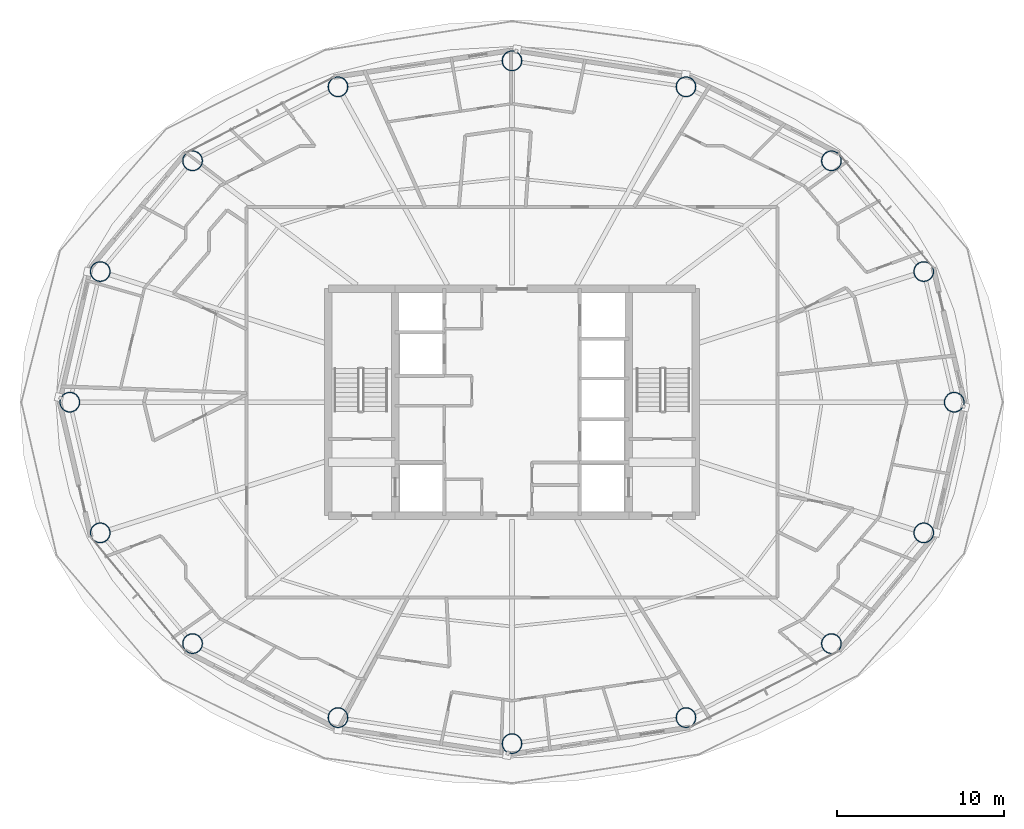
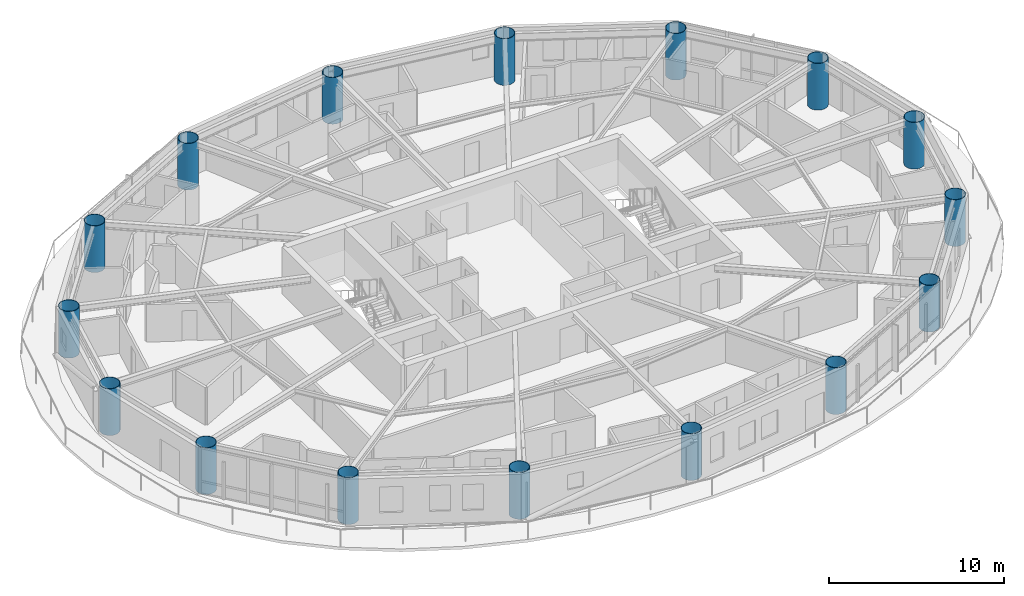
# One storey, part 1 of 28: 16 columns.
"""IFC4 building model written with IfcOpenShell, lengths in metres."""

from ifc_helpers import new_model, si_unit, direction, frame, origin, origin_2d, place, context, subcontext, project, spatial, hollow_circle, extrude, material, material_profile, profile_set, type_object, element, save


model = new_model("IFC4")

# Units and contexts
model_context = context("Model", 3, precision=1e-05, world=origin(), true_north=direction((0.0, 1.0)))
body_context = subcontext(model_context, "Body", "Model", "MODEL_VIEW")
ifc_project = project(units=[si_unit("LENGTHUNIT", "METRE"), si_unit("AREAUNIT", "SQUARE_METRE"), si_unit("VOLUMEUNIT", "CUBIC_METRE"), si_unit("PLANEANGLEUNIT", "RADIAN"), si_unit("MASSUNIT", "GRAM", prefix="KILO")], contexts=[model_context])

# Site, building, storey
site_placement = place(None, origin())
site = spatial("IfcSite", under=ifc_project, at=site_placement, CompositionType="ELEMENT")
building_placement = place(site_placement, origin())
building = spatial("IfcBuilding", under=site, at=building_placement, Name="Sarneth Arch Tower", CompositionType="ELEMENT")
storey_placement = place(building_placement, frame((0.0, 0.0, 197.39990234375)))
storey = spatial("IfcBuildingStorey", under=building, at=storey_placement, Name="L50", CompositionType="ELEMENT", Elevation=197.39990234375)

# Columns
ifc_material = material(Name="Steel S355", Category="steel")
ifc_material_profile = material_profile(ifc_material, hollow_circle(Radius=0.60009765625, WallThickness=0.031982421875, at=origin_2d()), Name="CHS1200x32")
ifc_profile_set = profile_set([ifc_material_profile], Name="Steel S355")
column_type = type_object("IfcColumnType", Name="COL-MEGA-1200", PredefinedType="COLUMN", material=ifc_profile_set)
for number, where, z_axis, x_axis, name in (
    (1, (74.487060546875, 42.0, 0.0), (0.0, 0.0, 1.0), (1.0, 0.0, 0.0), "L50 Perimeter mega-column M01"),
    (2, (72.662109375, 49.825927734375, 0.0), (0.0, 0.0, 1.0), (1.0, 0.0, 0.0), "L50 Perimeter mega-column M02"),
    (3, (67.1337890625, 56.46044921875, 0.0), (0.0, 0.0, 1.0), (1.0, 0.0, 0.0), "L50 Perimeter mega-column M03"),
    (4, (58.421875, 60.893310546875, 0.0), (0.0, 0.0, 1.0), (1.0, 0.0, 0.0), "L50 Perimeter mega-column M04"),
    (5, (48.0, 62.449951171875, 0.0), (0.0, 0.0, 1.0), (1.0, 0.0, 0.0), "L50 Perimeter mega-column M05"),
    (6, (37.578125, 60.893310546875, 0.0), (0.0, 0.0, 1.0), (1.0, 0.0, 0.0), "L50 Perimeter mega-column M06"),
    (7, (28.8662109375, 56.46044921875, 0.0), (0.0, 0.0, 1.0), (1.0, 0.0, 0.0), "L50 Perimeter mega-column M07"),
    (8, (23.337890625, 49.825927734375, 0.0), (0.0, 0.0, 1.0), (1.0, 0.0, 0.0), "L50 Perimeter mega-column M08"),
    (9, (21.512939453125, 42.0, 0.0), (0.0, 0.0, 1.0), (1.0, 0.0, 0.0), "L50 Perimeter mega-column M09"),
    (10, (23.337890625, 34.174072265625, 0.0), (0.0, 0.0, 1.0), (1.0, 0.0, 0.0), "L50 Perimeter mega-column M10"),
    (11, (28.8662109375, 27.53955078125, 0.0), (0.0, 0.0, 1.0), (1.0, 0.0, 0.0), "L50 Perimeter mega-column M11"),
    (12, (37.578125, 23.106689453125, 0.0), (0.0, 0.0, 1.0), (1.0, 0.0, 0.0), "L50 Perimeter mega-column M12"),
    (13, (48.0, 21.550048828125, 0.0), (0.0, 0.0, 1.0), (1.0, 0.0, 0.0), "L50 Perimeter mega-column M13"),
    (14, (58.421875, 23.106689453125, 0.0), (0.0, 0.0, 1.0), (1.0, 0.0, 0.0), "L50 Perimeter mega-column M14"),
    (15, (67.1337890625, 27.53955078125, 0.0), (0.0, 0.0, 1.0), (1.0, 0.0, 0.0), "L50 Perimeter mega-column M15"),
    (16, (72.662109375, 34.174072265625, 0.0), (0.0, 0.0, 1.0), (1.0, 0.0, 0.0), "L50 Perimeter mega-column M16"),
):
    element("IfcColumn", number, at=place(storey_placement, frame(where, z_axis=z_axis, x_axis=x_axis)), inside=storey, type_object=column_type, Name=name, PredefinedType="COLUMN", context=body_context, shape_type="SweptSolid", body=[
        extrude(hollow_circle(Radius=0.60009765625, WallThickness=0.031982421875, at=origin_2d()), origin(), (0.0, 0.0, 1.0), 3.25),
    ])

save(model, "model.ifc")
